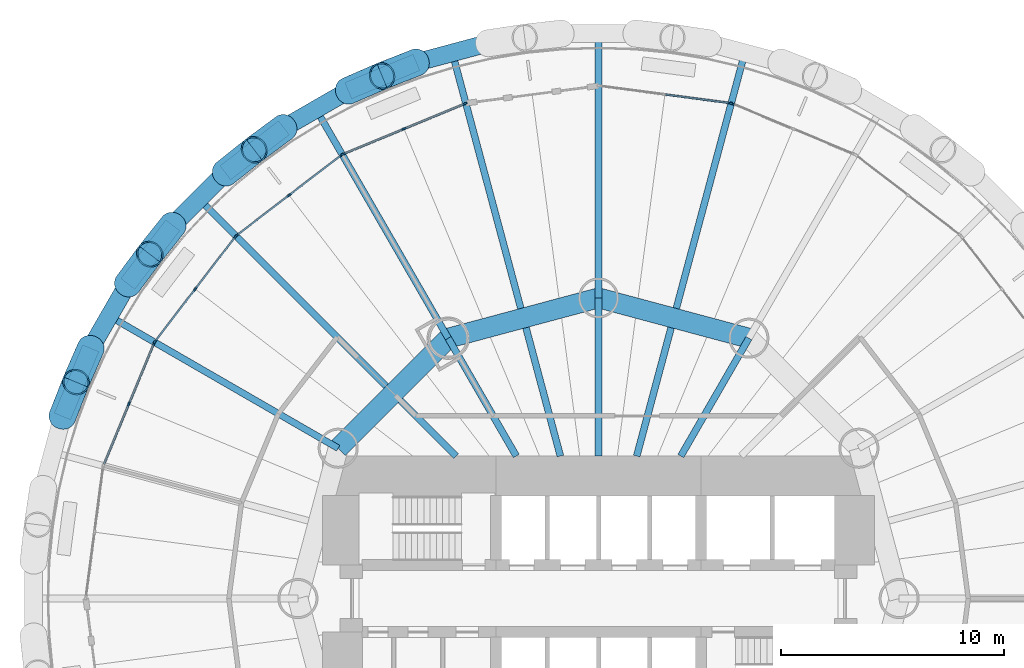
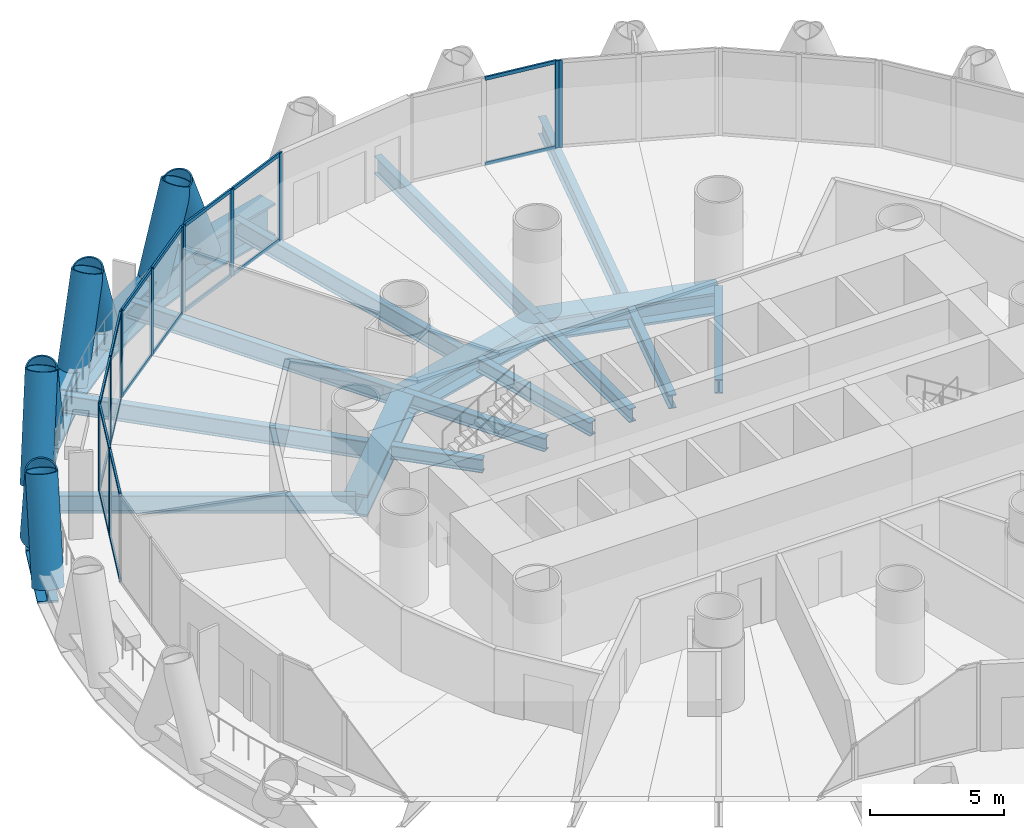
# One storey, part 6 of 15: 39 members, 23 beams, 6 elements without a shape of their own.
"""IFC4 building model written with IfcOpenShell, lengths in metres."""

from ifc_helpers import new_model, si_unit, direction, frame, origin, origin_2d, place, context, subcontext, project, spatial, rectangle, hollow_circle, i_section, extrude, material, material_profile, profile_set, type_object, element, aggregate, save


model = new_model("IFC4")

# Units and contexts
model_context = context("Model", 3, precision=1e-05, world=origin(), true_north=direction((0.0, 1.0)))
body_context = subcontext(model_context, "Body", "Model", "MODEL_VIEW")
ifc_project = project(units=[si_unit("LENGTHUNIT", "METRE"), si_unit("AREAUNIT", "SQUARE_METRE"), si_unit("VOLUMEUNIT", "CUBIC_METRE"), si_unit("PLANEANGLEUNIT", "RADIAN"), si_unit("MASSUNIT", "GRAM", prefix="KILO")], contexts=[model_context])

# Site, building, storey
site_placement = place(None, origin())
site = spatial("IfcSite", under=ifc_project, at=site_placement, CompositionType="ELEMENT")
building_placement = place(site_placement, origin())
building = spatial("IfcBuilding", under=site, at=building_placement, Name="Qaws Media Tower", CompositionType="ELEMENT")
storey_placement = place(building_placement, frame((0.0, 0.0, 97.39990234375)))
storey = spatial("IfcBuildingStorey", under=building, at=storey_placement, Name="L21", CompositionType="ELEMENT", Elevation=97.39990234375)

# Curtain wall, member
ifc_material_1 = material(Name="Aluminium and clear glass", Category="aluminium")
curtain_wall_type = type_object("IfcCurtainWallType", Name="Unitised curtain wall CW-A", PredefinedType="NOTDEFINED", material=ifc_material_1)
curtain_wall_1_placement = place(storey_placement, origin())
curtain_wall_1 = element("IfcCurtainWall", 1, at=curtain_wall_1_placement, inside=storey, type_object=curtain_wall_type, Name="CWA curtain wall L21-05", PredefinedType="NOTDEFINED")
ifc_material_2 = material(Name="Aluminium mullion", Category="aluminium")
ifc_material_profile_1 = material_profile(ifc_material_2, rectangle(XDim=0.080078125, YDim=0.199951171875, at=origin_2d()), Name="80x200")
ifc_profile_set_1 = profile_set([ifc_material_profile_1], Name="Aluminium mullion")
member_type_1 = type_object("IfcMemberType", Name="Curtain wall mullion 80x200", PredefinedType="MULLION", material=ifc_profile_set_1)
member_1_placement = place(storey_placement, frame((65.996337890625, 72.22509765625, 0.0), z_axis=(0.0, 0.0, 1.0), x_axis=(-0.382683428576, -0.923879534081, 0.0)))
member_1 = element("IfcMember", 2, at=member_1_placement, type_object=member_type_1, Name="CWA mullion 3", PredefinedType="MULLION", context=body_context, shape_type="SweptSolid", body=[
    extrude(rectangle(XDim=0.080078125, YDim=0.199951171875, at=origin_2d()), origin(), (0.0, 0.0, 1.0), 3.9501953125),
])
aggregate(curtain_wall_1, [member_1])

curtain_wall_2_placement = place(storey_placement, origin())
curtain_wall_2 = element("IfcCurtainWall", 3, at=curtain_wall_2_placement, inside=storey, type_object=curtain_wall_type, Name="CWA curtain wall L21-06", PredefinedType="NOTDEFINED")
member_2_placement = place(storey_placement, frame((65.919677734375, 72.24560546875, 0.0), z_axis=(0.0, 0.0, 1.0), x_axis=(-0.130526206323, -0.991444859517, 0.0)))
member_2 = element("IfcMember", 4, at=member_2_placement, type_object=member_type_1, Name="CWA mullion 1", PredefinedType="MULLION", context=body_context, shape_type="SweptSolid", body=[
    extrude(rectangle(XDim=0.080078125, YDim=0.199951171875, at=origin_2d()), origin(), (0.0, 0.0, 1.0), 3.9501953125),
])

# Curtain wall, members
curtain_wall_3_placement = place(storey_placement, origin())
curtain_wall_3 = element("IfcCurtainWall", 5, at=curtain_wall_3_placement, inside=storey, type_object=curtain_wall_type, Name="CWA curtain wall L21-08", PredefinedType="NOTDEFINED")
member_3_placement = place(storey_placement, frame((54.003662109375, 72.22509765625, 0.0), z_axis=(0.0, 0.0, 1.0), x_axis=(0.382683428576, -0.923879534081, 0.0)))
member_3 = element("IfcMember", 6, at=member_3_placement, type_object=member_type_1, Name="CWA mullion 1", PredefinedType="MULLION", context=body_context, shape_type="SweptSolid", body=[
    extrude(rectangle(XDim=0.080078125, YDim=0.199951171875, at=origin_2d()), origin(), (0.0, 0.0, 1.0), 3.9501953125),
])
member_4_placement = place(storey_placement, frame((51.26416015625, 71.09033203125, 0.0), z_axis=(0.0, 0.0, 1.0), x_axis=(0.382683428576, -0.923879534081, 0.0)))
member_4 = element("IfcMember", 7, at=member_4_placement, type_object=member_type_1, Name="CWA mullion 2", PredefinedType="MULLION", context=body_context, shape_type="SweptSolid", body=[
    extrude(rectangle(XDim=0.080078125, YDim=0.199951171875, at=origin_2d()), origin(), (0.0, 0.0, 1.0), 3.9501953125),
])
member_5_placement = place(storey_placement, frame((48.5244140625, 69.95556640625, 0.0), z_axis=(0.0, 0.0, 1.0), x_axis=(0.382683428576, -0.923879534081, 0.0)))
member_5 = element("IfcMember", 8, at=member_5_placement, type_object=member_type_1, Name="CWA mullion 3", PredefinedType="MULLION", context=body_context, shape_type="SweptSolid", body=[
    extrude(rectangle(XDim=0.080078125, YDim=0.199951171875, at=origin_2d()), origin(), (0.0, 0.0, 1.0), 3.9501953125),
])

curtain_wall_4_placement = place(storey_placement, origin())
curtain_wall_4 = element("IfcCurtainWall", 9, at=curtain_wall_4_placement, inside=storey, type_object=curtain_wall_type, Name="CWA curtain wall L21-09", PredefinedType="NOTDEFINED")
member_6_placement = place(storey_placement, frame((48.455810546875, 69.915771484375, 0.0), z_axis=(0.0, 0.0, 1.0), x_axis=(0.608761369953, -0.793353385606, 0.0)))
member_6 = element("IfcMember", 10, at=member_6_placement, type_object=member_type_1, Name="CWA mullion 1", PredefinedType="MULLION", context=body_context, shape_type="SweptSolid", body=[
    extrude(rectangle(XDim=0.080078125, YDim=0.199951171875, at=origin_2d()), origin(), (0.0, 0.0, 1.0), 3.9501953125),
])
member_7_placement = place(storey_placement, frame((46.103271484375, 68.110595703125, 0.0), z_axis=(0.0, 0.0, 1.0), x_axis=(0.608761369953, -0.793353385606, 0.0)))
member_7 = element("IfcMember", 11, at=member_7_placement, type_object=member_type_1, Name="CWA mullion 2", PredefinedType="MULLION", context=body_context, shape_type="SweptSolid", body=[
    extrude(rectangle(XDim=0.080078125, YDim=0.199951171875, at=origin_2d()), origin(), (0.0, 0.0, 1.0), 3.9501953125),
])
member_8_placement = place(storey_placement, frame((43.75048828125, 66.305419921875, 0.0), z_axis=(0.0, 0.0, 1.0), x_axis=(0.608761369953, -0.793353385606, 0.0)))
member_8 = element("IfcMember", 12, at=member_8_placement, type_object=member_type_1, Name="CWA mullion 3", PredefinedType="MULLION", context=body_context, shape_type="SweptSolid", body=[
    extrude(rectangle(XDim=0.080078125, YDim=0.199951171875, at=origin_2d()), origin(), (0.0, 0.0, 1.0), 3.9501953125),
])

curtain_wall_5_placement = place(storey_placement, origin())
curtain_wall_5 = element("IfcCurtainWall", 13, at=curtain_wall_5_placement, inside=storey, type_object=curtain_wall_type, Name="CWA curtain wall L21-10", PredefinedType="NOTDEFINED")
member_9_placement = place(storey_placement, frame((43.694580078125, 66.24951171875, 0.0), z_axis=(0.0, 0.0, 1.0), x_axis=(0.793353385606, -0.608761369953, 0.0)))
member_9 = element("IfcMember", 14, at=member_9_placement, type_object=member_type_1, Name="CWA mullion 1", PredefinedType="MULLION", context=body_context, shape_type="SweptSolid", body=[
    extrude(rectangle(XDim=0.080078125, YDim=0.199951171875, at=origin_2d()), origin(), (0.0, 0.0, 1.0), 3.9501953125),
])
member_10_placement = place(storey_placement, frame((41.889404296875, 63.896728515625, 0.0), z_axis=(0.0, 0.0, 1.0), x_axis=(0.793353385606, -0.608761369953, 0.0)))
member_10 = element("IfcMember", 15, at=member_10_placement, type_object=member_type_1, Name="CWA mullion 2", PredefinedType="MULLION", context=body_context, shape_type="SweptSolid", body=[
    extrude(rectangle(XDim=0.080078125, YDim=0.199951171875, at=origin_2d()), origin(), (0.0, 0.0, 1.0), 3.9501953125),
])
member_11_placement = place(storey_placement, frame((40.084228515625, 61.544189453125, 0.0), z_axis=(0.0, 0.0, 1.0), x_axis=(0.793353385606, -0.608761369953, 0.0)))
member_11 = element("IfcMember", 16, at=member_11_placement, type_object=member_type_1, Name="CWA mullion 3", PredefinedType="MULLION", context=body_context, shape_type="SweptSolid", body=[
    extrude(rectangle(XDim=0.080078125, YDim=0.199951171875, at=origin_2d()), origin(), (0.0, 0.0, 1.0), 3.9501953125),
])

curtain_wall_6_placement = place(storey_placement, origin())
curtain_wall_6 = element("IfcCurtainWall", 17, at=curtain_wall_6_placement, inside=storey, type_object=curtain_wall_type, Name="CWA curtain wall L21-11", PredefinedType="NOTDEFINED")
member_12_placement = place(storey_placement, frame((40.04443359375, 61.4755859375, 0.0), z_axis=(0.0, 0.0, 1.0), x_axis=(0.923879534081, -0.382683428576, 0.0)))
member_12 = element("IfcMember", 18, at=member_12_placement, type_object=member_type_1, Name="CWA mullion 1", PredefinedType="MULLION", context=body_context, shape_type="SweptSolid", body=[
    extrude(rectangle(XDim=0.080078125, YDim=0.199951171875, at=origin_2d()), origin(), (0.0, 0.0, 1.0), 3.9501953125),
])
member_13_placement = place(storey_placement, frame((38.90966796875, 58.73583984375, 0.0), z_axis=(0.0, 0.0, 1.0), x_axis=(0.923879534081, -0.382683428576, 0.0)))
member_13 = element("IfcMember", 19, at=member_13_placement, type_object=member_type_1, Name="CWA mullion 2", PredefinedType="MULLION", context=body_context, shape_type="SweptSolid", body=[
    extrude(rectangle(XDim=0.080078125, YDim=0.199951171875, at=origin_2d()), origin(), (0.0, 0.0, 1.0), 3.9501953125),
])

# Member
ifc_material_3 = material(Name="Aluminium transom", Category="aluminium")
ifc_material_profile_2 = material_profile(ifc_material_3, rectangle(XDim=0.080078125, YDim=0.159912109375, at=origin_2d()), Name="80x160")
ifc_profile_set_2 = profile_set([ifc_material_profile_2], Name="Aluminium transom")
member_type_2 = type_object("IfcMemberType", Name="Curtain wall transom 80x160", PredefinedType="USERDEFINED", material=ifc_profile_set_2)
member_14_placement = place(storey_placement, frame((65.8798828125, 72.2509765625, 0.0400390625), z_axis=(-0.991451127173, 0.130478589921, 0.0), x_axis=(-0.130478589921, -0.991451127173, 0.0)))
member_14 = element("IfcMember", 20, at=member_14_placement, type_object=member_type_2, Name="CWA transom 1.1", ObjectType="TRANSOM", PredefinedType="USERDEFINED", context=body_context, shape_type="SweptSolid", body=[
    extrude(rectangle(XDim=0.080078125, YDim=0.159912109375, at=origin_2d()), origin(), (0.0, 0.0, 1.0), 2.88525390625),
])

member_15_placement = place(storey_placement, frame((65.8798828125, 72.2509765625, 3.91015625), z_axis=(-0.991451127173, 0.130478589921, 0.0), x_axis=(-0.130478589921, -0.991451127173, 0.0)))
member_15 = element("IfcMember", 21, at=member_15_placement, type_object=member_type_2, Name="CWA transom 1.2", ObjectType="TRANSOM", PredefinedType="USERDEFINED", context=body_context, shape_type="SweptSolid", body=[
    extrude(rectangle(XDim=0.080078125, YDim=0.159912109375, at=origin_2d()), origin(), (0.0, 0.0, 1.0), 2.88525390625),
])

aggregate(curtain_wall_2, [member_2, member_14, member_15])

member_16_placement = place(storey_placement, frame((53.966796875, 72.209716796875, 0.0400390625), z_axis=(-0.923903400053, -0.382625805938, 0.0), x_axis=(0.382625805938, -0.923903400053, 0.0)))
member_16 = element("IfcMember", 22, at=member_16_placement, type_object=member_type_2, Name="CWA transom 1.1", ObjectType="TRANSOM", PredefinedType="USERDEFINED", context=body_context, shape_type="SweptSolid", body=[
    extrude(rectangle(XDim=0.080078125, YDim=0.159912109375, at=origin_2d()), origin(), (0.0, 0.0, 1.0), 2.88525390625),
])

member_17_placement = place(storey_placement, frame((53.966796875, 72.209716796875, 3.91015625), z_axis=(-0.923903400053, -0.382625805938, 0.0), x_axis=(0.382625805938, -0.923903400053, 0.0)))
member_17 = element("IfcMember", 23, at=member_17_placement, type_object=member_type_2, Name="CWA transom 1.2", ObjectType="TRANSOM", PredefinedType="USERDEFINED", context=body_context, shape_type="SweptSolid", body=[
    extrude(rectangle(XDim=0.080078125, YDim=0.159912109375, at=origin_2d()), origin(), (0.0, 0.0, 1.0), 2.88525390625),
])

member_18_placement = place(storey_placement, frame((51.22705078125, 71.074951171875, 0.0400390625), z_axis=(-0.923891010857, -0.382655720012, 0.0), x_axis=(0.382655720012, -0.923891010857, 0.0)))
member_18 = element("IfcMember", 24, at=member_18_placement, type_object=member_type_2, Name="CWA transom 2.1", ObjectType="TRANSOM", PredefinedType="USERDEFINED", context=body_context, shape_type="SweptSolid", body=[
    extrude(rectangle(XDim=0.080078125, YDim=0.159912109375, at=origin_2d()), origin(), (0.0, 0.0, 1.0), 2.885009765625),
])

member_19_placement = place(storey_placement, frame((51.22705078125, 71.074951171875, 3.91015625), z_axis=(-0.923891010857, -0.382655720012, 0.0), x_axis=(0.382655720012, -0.923891010857, 0.0)))
member_19 = element("IfcMember", 25, at=member_19_placement, type_object=member_type_2, Name="CWA transom 2.2", ObjectType="TRANSOM", PredefinedType="USERDEFINED", context=body_context, shape_type="SweptSolid", body=[
    extrude(rectangle(XDim=0.080078125, YDim=0.159912109375, at=origin_2d()), origin(), (0.0, 0.0, 1.0), 2.885009765625),
])

aggregate(curtain_wall_3, [member_3, member_4, member_5, member_16, member_17, member_18, member_19])

member_20_placement = place(storey_placement, frame((48.424072265625, 69.8916015625, 0.0400390625), z_axis=(-0.793331184409, -0.608790302029, 0.0), x_axis=(0.608790302029, -0.793331184409, 0.0)))
member_20 = element("IfcMember", 26, at=member_20_placement, type_object=member_type_2, Name="CWA transom 1.1", ObjectType="TRANSOM", PredefinedType="USERDEFINED", context=body_context, shape_type="SweptSolid", body=[
    extrude(rectangle(XDim=0.080078125, YDim=0.159912109375, at=origin_2d()), origin(), (0.0, 0.0, 1.0), 2.885498046875),
])

member_21_placement = place(storey_placement, frame((48.424072265625, 69.8916015625, 3.91015625), z_axis=(-0.793331184409, -0.608790302029, 0.0), x_axis=(0.608790302029, -0.793331184409, 0.0)))
member_21 = element("IfcMember", 27, at=member_21_placement, type_object=member_type_2, Name="CWA transom 1.2", ObjectType="TRANSOM", PredefinedType="USERDEFINED", context=body_context, shape_type="SweptSolid", body=[
    extrude(rectangle(XDim=0.080078125, YDim=0.159912109375, at=origin_2d()), origin(), (0.0, 0.0, 1.0), 2.885498046875),
])

member_22_placement = place(storey_placement, frame((46.071533203125, 68.08642578125, 0.0400390625), z_axis=(-0.793362540986, -0.608749438242, 0.0), x_axis=(0.608749438242, -0.793362540986, 0.0)))
member_22 = element("IfcMember", 28, at=member_22_placement, type_object=member_type_2, Name="CWA transom 2.1", ObjectType="TRANSOM", PredefinedType="USERDEFINED", context=body_context, shape_type="SweptSolid", body=[
    extrude(rectangle(XDim=0.080078125, YDim=0.159912109375, at=origin_2d()), origin(), (0.0, 0.0, 1.0), 2.885498046875),
])

member_23_placement = place(storey_placement, frame((46.071533203125, 68.08642578125, 3.91015625), z_axis=(-0.793362540986, -0.608749438242, 0.0), x_axis=(0.608749438242, -0.793362540986, 0.0)))
member_23 = element("IfcMember", 29, at=member_23_placement, type_object=member_type_2, Name="CWA transom 2.2", ObjectType="TRANSOM", PredefinedType="USERDEFINED", context=body_context, shape_type="SweptSolid", body=[
    extrude(rectangle(XDim=0.080078125, YDim=0.159912109375, at=origin_2d()), origin(), (0.0, 0.0, 1.0), 2.885498046875),
])

aggregate(curtain_wall_4, [member_6, member_7, member_8, member_20, member_21, member_22, member_23])

member_24_placement = place(storey_placement, frame((43.670166015625, 66.2177734375, 0.0400390625), z_axis=(-0.608749438242, -0.793362540986, 0.0), x_axis=(0.793362540986, -0.608749438242, 0.0)))
member_24 = element("IfcMember", 30, at=member_24_placement, type_object=member_type_2, Name="CWA transom 1.1", ObjectType="TRANSOM", PredefinedType="USERDEFINED", context=body_context, shape_type="SweptSolid", body=[
    extrude(rectangle(XDim=0.080078125, YDim=0.159912109375, at=origin_2d()), origin(), (0.0, 0.0, 1.0), 2.885498046875),
])

member_25_placement = place(storey_placement, frame((43.670166015625, 66.2177734375, 3.91015625), z_axis=(-0.608749438242, -0.793362540986, 0.0), x_axis=(0.793362540986, -0.608749438242, 0.0)))
member_25 = element("IfcMember", 31, at=member_25_placement, type_object=member_type_2, Name="CWA transom 1.2", ObjectType="TRANSOM", PredefinedType="USERDEFINED", context=body_context, shape_type="SweptSolid", body=[
    extrude(rectangle(XDim=0.080078125, YDim=0.159912109375, at=origin_2d()), origin(), (0.0, 0.0, 1.0), 2.885498046875),
])

member_26_placement = place(storey_placement, frame((41.864990234375, 63.864990234375, 0.0400390625), z_axis=(-0.608790302029, -0.793331184409, 0.0), x_axis=(0.793331184409, -0.608790302029, 0.0)))
member_26 = element("IfcMember", 32, at=member_26_placement, type_object=member_type_2, Name="CWA transom 2.1", ObjectType="TRANSOM", PredefinedType="USERDEFINED", context=body_context, shape_type="SweptSolid", body=[
    extrude(rectangle(XDim=0.080078125, YDim=0.159912109375, at=origin_2d()), origin(), (0.0, 0.0, 1.0), 2.885498046875),
])

member_27_placement = place(storey_placement, frame((41.864990234375, 63.864990234375, 3.91015625), z_axis=(-0.608790302029, -0.793331184409, 0.0), x_axis=(0.793331184409, -0.608790302029, 0.0)))
member_27 = element("IfcMember", 33, at=member_27_placement, type_object=member_type_2, Name="CWA transom 2.2", ObjectType="TRANSOM", PredefinedType="USERDEFINED", context=body_context, shape_type="SweptSolid", body=[
    extrude(rectangle(XDim=0.080078125, YDim=0.159912109375, at=origin_2d()), origin(), (0.0, 0.0, 1.0), 2.885498046875),
])

aggregate(curtain_wall_5, [member_9, member_10, member_11, member_24, member_25, member_26, member_27])

member_28_placement = place(storey_placement, frame((40.029052734375, 61.4384765625, 0.0400390625), z_axis=(-0.382655720012, -0.923891010857, 0.0), x_axis=(0.923891010857, -0.382655720012, 0.0)))
member_28 = element("IfcMember", 34, at=member_28_placement, type_object=member_type_2, Name="CWA transom 1.1", ObjectType="TRANSOM", PredefinedType="USERDEFINED", context=body_context, shape_type="SweptSolid", body=[
    extrude(rectangle(XDim=0.080078125, YDim=0.159912109375, at=origin_2d()), origin(), (0.0, 0.0, 1.0), 2.885009765625),
])

member_29_placement = place(storey_placement, frame((40.029052734375, 61.4384765625, 3.91015625), z_axis=(-0.382655720012, -0.923891010857, 0.0), x_axis=(0.923891010857, -0.382655720012, 0.0)))
member_29 = element("IfcMember", 35, at=member_29_placement, type_object=member_type_2, Name="CWA transom 1.2", ObjectType="TRANSOM", PredefinedType="USERDEFINED", context=body_context, shape_type="SweptSolid", body=[
    extrude(rectangle(XDim=0.080078125, YDim=0.159912109375, at=origin_2d()), origin(), (0.0, 0.0, 1.0), 2.885009765625),
])

member_30_placement = place(storey_placement, frame((38.894287109375, 58.698974609375, 0.0400390625), z_axis=(-0.382625805938, -0.923903400053, 0.0), x_axis=(0.923903400053, -0.382625805938, 0.0)))
member_30 = element("IfcMember", 36, at=member_30_placement, type_object=member_type_2, Name="CWA transom 2.1", ObjectType="TRANSOM", PredefinedType="USERDEFINED", context=body_context, shape_type="SweptSolid", body=[
    extrude(rectangle(XDim=0.080078125, YDim=0.159912109375, at=origin_2d()), origin(), (0.0, 0.0, 1.0), 2.88525390625),
])

member_31_placement = place(storey_placement, frame((38.894287109375, 58.698974609375, 3.91015625), z_axis=(-0.382625805938, -0.923903400053, 0.0), x_axis=(0.923903400053, -0.382625805938, 0.0)))
member_31 = element("IfcMember", 37, at=member_31_placement, type_object=member_type_2, Name="CWA transom 2.2", ObjectType="TRANSOM", PredefinedType="USERDEFINED", context=body_context, shape_type="SweptSolid", body=[
    extrude(rectangle(XDim=0.080078125, YDim=0.159912109375, at=origin_2d()), origin(), (0.0, 0.0, 1.0), 2.88525390625),
])

aggregate(curtain_wall_6, [member_12, member_13, member_28, member_29, member_30, member_31])

# Members
ifc_material_4 = material(Name="Steel S460", Category="steel")
ifc_material_profile_3 = material_profile(ifc_material_4, hollow_circle(Radius=0.609619140625, WallThickness=0.06005859375, at=origin_2d()), Name="CHS 1219x60")
ifc_profile_set_3 = profile_set([ifc_material_profile_3], Name="Steel S460")
member_type_3 = type_object("IfcMemberType", Name="Diagrid member CHS 1219x60", PredefinedType="USERDEFINED", material=ifc_profile_set_3)
for number, where, z_axis, x_axis, name in (
    (38, (51.827392578125, 74.07568359375, -0.909912109375), (-0.349042936435, -0.137381625873, 0.926981832291), (0.366247253344, -0.93051757072, 0.0), "DG1 diagrid L21 A08"),
    (39, (45.87451171875, 71.14013671875, -0.909912109375), (-0.301578739488, -0.223059242955, 0.926981573723), (0.594655183188, -0.803980853695, 0.0), "DG1 diagrid L21 A09"),
    (40, (48.7548828125, 72.802978515625, -0.909912109375), (0.343926220304, 0.149662418634, 0.926992942495), (-0.399015967171, 0.916943977538, 0.0), "DG1 diagrid L21 B09"),
    (41, (40.884521484375, 66.763916015625, -0.909912109375), (-0.233577882424, -0.293486589655, 0.926988130741), (0.782441736387, -0.622723798453, 0.0), "DG1 diagrid L21 A10"),
    (42, (43.236083984375, 69.115478515625, -0.909912109375), (0.293486589655, 0.233577882424, 0.926988130741), (-0.622723798453, 0.782441736387, 0.0), "DG1 diagrid L21 B10"),
    (43, (37.197021484375, 61.2451171875, -0.909912109375), (-0.149662418634, -0.343926220304, 0.926992942495), (0.916943977538, -0.399015967171, 0.0), "DG1 diagrid L21 A11"),
    (44, (38.85986328125, 64.12548828125, -0.909912109375), (0.223059242955, 0.301578739488, 0.926981573723), (-0.803980853695, 0.594655183188, 0.0), "DG1 diagrid L21 B11"),
    (45, (35.92431640625, 58.172607421875, -0.909912109375), (0.137381625873, 0.349042936435, 0.926981832291), (-0.93051757072, 0.366247253344, 0.0), "DG1 diagrid L21 B12"),
):
    element("IfcMember", number, at=place(storey_placement, frame(where, z_axis=z_axis, x_axis=x_axis)), inside=storey, type_object=member_type_3, Name=name, ObjectType="DIAGRID", PredefinedType="USERDEFINED", context=body_context, shape_type="SweptSolid", body=[
        extrude(hollow_circle(Radius=0.609619140625, WallThickness=0.06005859375, at=origin_2d()), origin(), (0.0, 0.0, 1.0), 4.433837890625),
    ])

# Beams
ifc_material_5 = material(Name="Steel S460", Category="steel")
ifc_material_profile_4 = material_profile(ifc_material_5, i_section(OverallWidth=0.800048828125, OverallDepth=1.5, WebThickness=0.0400390625, FlangeThickness=0.10009765625, at=origin_2d()), Name="PG 1500x800")
ifc_profile_set_4 = profile_set([ifc_material_profile_4], Name="Steel S460")
beam_type_1 = type_object("IfcBeamType", Name="Edge ring beam PG 1500x800", PredefinedType="BEAM", material=ifc_profile_set_4)
for number, where, z_axis, x_axis, name in (
    (46, (55.039794921875, 74.9365234375, -0.909912109375), (-0.965919870225, -0.258841272413, 0.0), (0.258841272413, -0.965919870225, 0.0), "RB7 edge ring beam L21-14"),
    (47, (51.827392578125, 74.07568359375, -0.909912109375), (-0.923876357767, -0.382691096785, 0.0), (0.382691096785, -0.923876357767, 0.0), "RB7 edge ring beam L21-15"),
):
    element("IfcBeam", number, at=place(storey_placement, frame(where, z_axis=z_axis, x_axis=x_axis)), inside=storey, type_object=beam_type_1, Name=name, PredefinedType="BEAM", context=body_context, shape_type="SweptSolid", body=[
        extrude(i_section(OverallWidth=0.800048828125, OverallDepth=1.5, WebThickness=0.0400390625, FlangeThickness=0.10009765625, at=origin_2d()), origin(), (0.0, 0.0, 1.0), 3.32568359375),
    ])
beam_1_placement = place(storey_placement, frame((48.7548828125, 72.802978515625, -0.909912109375), z_axis=(-0.866043790474, -0.499968151968, 0.0), x_axis=(0.499968151968, -0.866043790474, 0.0)))
element("IfcBeam", 48, at=beam_1_placement, inside=storey, type_object=beam_type_1, Name="RB7 edge ring beam L21-16", PredefinedType="BEAM", context=body_context, shape_type="SweptSolid", body=[
    extrude(i_section(OverallWidth=0.800048828125, OverallDepth=1.5, WebThickness=0.0400390625, FlangeThickness=0.10009765625, at=origin_2d()), origin(), (0.0, 0.0, 1.0), 3.325927734375),
])
for number, where, z_axis, x_axis, name in (
    (49, (45.87451171875, 71.14013671875, -0.909912109375), (-0.793335710763, -0.608784403568, 0.0), (0.608784403568, -0.793335710763, 0.0), "RB7 edge ring beam L21-17"),
    (50, (43.236083984375, 69.115478515625, -0.909912109375), (-0.707106781187, -0.707106781187, 0.0), (0.707106781187, -0.707106781187, 0.0), "RB7 edge ring beam L21-18"),
    (51, (40.884521484375, 66.763916015625, -0.909912109375), (-0.608784403568, -0.793335710763, 0.0), (0.793335710763, -0.608784403568, 0.0), "RB7 edge ring beam L21-19"),
):
    element("IfcBeam", number, at=place(storey_placement, frame(where, z_axis=z_axis, x_axis=x_axis)), inside=storey, type_object=beam_type_1, Name=name, PredefinedType="BEAM", context=body_context, shape_type="SweptSolid", body=[
        extrude(i_section(OverallWidth=0.800048828125, OverallDepth=1.5, WebThickness=0.0400390625, FlangeThickness=0.10009765625, at=origin_2d()), origin(), (0.0, 0.0, 1.0), 3.32568359375),
    ])
beam_2_placement = place(storey_placement, frame((38.85986328125, 64.12548828125, -0.909912109375), z_axis=(-0.499968151968, -0.866043790474, 0.0), x_axis=(0.866043790474, -0.499968151968, 0.0)))
element("IfcBeam", 52, at=beam_2_placement, inside=storey, type_object=beam_type_1, Name="RB7 edge ring beam L21-20", PredefinedType="BEAM", context=body_context, shape_type="SweptSolid", body=[
    extrude(i_section(OverallWidth=0.800048828125, OverallDepth=1.5, WebThickness=0.0400390625, FlangeThickness=0.10009765625, at=origin_2d()), origin(), (0.0, 0.0, 1.0), 3.325927734375),
])
beam_3_placement = place(storey_placement, frame((37.197021484375, 61.2451171875, -0.909912109375), z_axis=(-0.382691096785, -0.923876357767, 0.0), x_axis=(0.923876357767, -0.382691096785, 0.0)))
element("IfcBeam", 53, at=beam_3_placement, inside=storey, type_object=beam_type_1, Name="RB7 edge ring beam L21-21", PredefinedType="BEAM", context=body_context, shape_type="SweptSolid", body=[
    extrude(i_section(OverallWidth=0.800048828125, OverallDepth=1.5, WebThickness=0.0400390625, FlangeThickness=0.10009765625, at=origin_2d()), origin(), (0.0, 0.0, 1.0), 3.32568359375),
])
ifc_material_6 = material(Name="Steel S460", Category="steel")
ifc_material_profile_5 = material_profile(ifc_material_6, i_section(OverallWidth=0.89990234375, OverallDepth=1.0, WebThickness=0.044921875, FlangeThickness=0.110107421875, at=origin_2d()), Name="PG 1000x900")
ifc_profile_set_5 = profile_set([ifc_material_profile_5], Name="Steel S460")
beam_type_2 = type_object("IfcBeamType", Name="Inner ring girder PG 1000x900", PredefinedType="BEAM", material=ifc_profile_set_5)
for number, where, z_axis, x_axis, name in (
    (54, (66.75, 61.69140625, -0.659912109375), (-0.965928090778, 0.258810593767, 0.0), (-0.258810593767, -0.965928090778, 0.0), "B3 inner ring beam L21 I03-I04"),
    (55, (60.0, 63.5, -0.659912109375), (-0.965928090778, -0.258810593767, 0.0), (0.258810593767, -0.965928090778, 0.0), "B3 inner ring beam L21 I04-I05"),
):
    element("IfcBeam", number, at=place(storey_placement, frame(where, z_axis=z_axis, x_axis=x_axis)), inside=storey, type_object=beam_type_2, Name=name, PredefinedType="BEAM", context=body_context, shape_type="SweptSolid", body=[
        extrude(i_section(OverallWidth=0.89990234375, OverallDepth=1.0, WebThickness=0.044921875, FlangeThickness=0.110107421875, at=origin_2d()), origin(), (0.0, 0.0, 1.0), 6.988037109375),
    ])
beam_4_placement = place(storey_placement, frame((53.25, 61.69140625, -0.659912109375), z_axis=(-0.707106781187, -0.707106781187, 0.0), x_axis=(0.707106781187, -0.707106781187, 0.0)))
element("IfcBeam", 56, at=beam_4_placement, inside=storey, type_object=beam_type_2, Name="B3 inner ring beam L21 I05-I06", PredefinedType="BEAM", context=body_context, shape_type="SweptSolid", body=[
    extrude(i_section(OverallWidth=0.89990234375, OverallDepth=1.0, WebThickness=0.044921875, FlangeThickness=0.110107421875, at=origin_2d()), origin(), (0.0, 0.0, 1.0), 6.98828125),
])
ifc_material_7 = material(Name="Steel S355", Category="steel")
ifc_material_profile_6 = material_profile(ifc_material_7, i_section(OverallWidth=0.304931640625, OverallDepth=0.6201171875, WebThickness=0.02099609375, FlangeThickness=0.0400390625, FilletRadius=0.027099609375, at=origin_2d()), Name="HE 600 M")
ifc_profile_set_6 = profile_set([ifc_material_profile_6], Name="Steel S355")
beam_type_3 = type_object("IfcBeamType", Name="Radial beam HE 600 M, core side", PredefinedType="BEAM", material=ifc_profile_set_6)
beam_5_placement = place(storey_placement, frame((63.695068359375, 56.39990234375, -0.469970703125), z_axis=(0.49998532359, 0.866033877048, 0.0), x_axis=(-0.866033877048, 0.49998532359, 0.0)))
element("IfcBeam", 57, at=beam_5_placement, inside=storey, type_object=beam_type_3, Name="B2 radial beam L21 05", PredefinedType="BEAM", context=body_context, shape_type="SweptSolid", body=[
    extrude(i_section(OverallWidth=0.304931640625, OverallDepth=0.6201171875, WebThickness=0.02099609375, FlangeThickness=0.0400390625, FilletRadius=0.027099609375, at=origin_2d()), origin(), (0.0, 0.0, 1.0), 6.110107421875),
])
beam_6_placement = place(storey_placement, frame((61.71484375, 56.39990234375, -0.469970703125), z_axis=(0.258826794509, 0.965923749808, 0.0), x_axis=(-0.965923749808, 0.258826794509, 0.0)))
element("IfcBeam", 58, at=beam_6_placement, inside=storey, type_object=beam_type_3, Name="B2 radial beam L21 06", PredefinedType="BEAM", context=body_context, shape_type="SweptSolid", body=[
    extrude(i_section(OverallWidth=0.304931640625, OverallDepth=0.6201171875, WebThickness=0.02099609375, FlangeThickness=0.0400390625, FilletRadius=0.027099609375, at=origin_2d()), origin(), (0.0, 0.0, 1.0), 5.964111328125),
])
beam_7_placement = place(storey_placement, frame((60.0, 56.39990234375, -0.469970703125), z_axis=(0.0, 1.0, 0.0), x_axis=(-1.0, 0.0, 0.0)))
element("IfcBeam", 59, at=beam_7_placement, inside=storey, type_object=beam_type_3, Name="B2 radial beam L21 07", PredefinedType="BEAM", context=body_context, shape_type="SweptSolid", body=[
    extrude(i_section(OverallWidth=0.304931640625, OverallDepth=0.6201171875, WebThickness=0.02099609375, FlangeThickness=0.0400390625, FilletRadius=0.027099609375, at=origin_2d()), origin(), (0.0, 0.0, 1.0), 7.10009765625),
])
beam_8_placement = place(storey_placement, frame((58.28515625, 56.39990234375, -0.469970703125), z_axis=(-0.258826794509, 0.965923749808, 0.0), x_axis=(-0.965923749808, -0.258826794509, 0.0)))
element("IfcBeam", 60, at=beam_8_placement, inside=storey, type_object=beam_type_3, Name="B2 radial beam L21 08", PredefinedType="BEAM", context=body_context, shape_type="SweptSolid", body=[
    extrude(i_section(OverallWidth=0.304931640625, OverallDepth=0.6201171875, WebThickness=0.02099609375, FlangeThickness=0.0400390625, FilletRadius=0.027099609375, at=origin_2d()), origin(), (0.0, 0.0, 1.0), 5.964111328125),
])
beam_9_placement = place(storey_placement, frame((56.304931640625, 56.39990234375, -0.469970703125), z_axis=(-0.49998532359, 0.866033877048, 0.0), x_axis=(-0.866033877048, -0.49998532359, 0.0)))
element("IfcBeam", 61, at=beam_9_placement, inside=storey, type_object=beam_type_3, Name="B2 radial beam L21 09", PredefinedType="BEAM", context=body_context, shape_type="SweptSolid", body=[
    extrude(i_section(OverallWidth=0.304931640625, OverallDepth=0.6201171875, WebThickness=0.02099609375, FlangeThickness=0.0400390625, FilletRadius=0.027099609375, at=origin_2d()), origin(), (0.0, 0.0, 1.0), 6.110107421875),
])
beam_10_placement = place(storey_placement, frame((53.60009765625, 56.39990234375, -0.469970703125), z_axis=(-0.707106781187, 0.707106781187, 0.0), x_axis=(-0.707106781187, -0.707106781187, 0.0)))
element("IfcBeam", 62, at=beam_10_placement, inside=storey, type_object=beam_type_3, Name="B2 radial beam L21 10", PredefinedType="BEAM", context=body_context, shape_type="SweptSolid", body=[
    extrude(i_section(OverallWidth=0.304931640625, OverallDepth=0.6201171875, WebThickness=0.02099609375, FlangeThickness=0.0400390625, FilletRadius=0.027099609375, at=origin_2d()), origin(), (0.0, 0.0, 1.0), 3.539306640625),
])
ifc_material_8 = material(Name="Steel S355", Category="steel")
ifc_material_profile_7 = material_profile(ifc_material_8, i_section(OverallWidth=0.300048828125, OverallDepth=0.800048828125, WebThickness=0.017578125, FlangeThickness=0.032958984375, FilletRadius=0.030029296875, at=origin_2d()), Name="HE 800 B")
ifc_profile_set_7 = profile_set([ifc_material_profile_7], Name="Steel S355")
beam_type_4 = type_object("IfcBeamType", Name="Radial beam HE 800 B", PredefinedType="BEAM", material=ifc_profile_set_7)
beam_11_placement = place(storey_placement, frame((63.491455078125, 63.0302734375, -0.559814453125), z_axis=(0.258819969422, 0.965925578618, 0.0), x_axis=(-0.965925578618, 0.258819969422, 0.0)))
element("IfcBeam", 63, at=beam_11_placement, inside=storey, type_object=beam_type_4, Name="B1 radial beam L21 06", PredefinedType="BEAM", context=body_context, shape_type="SweptSolid", body=[
    extrude(i_section(OverallWidth=0.300048828125, OverallDepth=0.800048828125, WebThickness=0.017578125, FlangeThickness=0.032958984375, FilletRadius=0.030029296875, at=origin_2d()), origin(), (0.0, 0.0, 1.0), 11.880615234375),
])
beam_12_placement = place(storey_placement, frame((60.0, 63.5, -0.559814453125), z_axis=(0.0, 1.0, 0.0), x_axis=(-1.0, 0.0, 0.0)))
element("IfcBeam", 64, at=beam_12_placement, inside=storey, type_object=beam_type_4, Name="B1 radial beam L21 07", PredefinedType="BEAM", context=body_context, shape_type="SweptSolid", body=[
    extrude(i_section(OverallWidth=0.300048828125, OverallDepth=0.800048828125, WebThickness=0.017578125, FlangeThickness=0.032958984375, FilletRadius=0.030029296875, at=origin_2d()), origin(), (0.0, 0.0, 1.0), 11.87060546875),
])
beam_13_placement = place(storey_placement, frame((56.508544921875, 63.0302734375, -0.559814453125), z_axis=(-0.258819969422, 0.965925578618, 0.0), x_axis=(-0.965925578618, -0.258819969422, 0.0)))
element("IfcBeam", 65, at=beam_13_placement, inside=storey, type_object=beam_type_4, Name="B1 radial beam L21 08", PredefinedType="BEAM", context=body_context, shape_type="SweptSolid", body=[
    extrude(i_section(OverallWidth=0.300048828125, OverallDepth=0.800048828125, WebThickness=0.017578125, FlangeThickness=0.032958984375, FilletRadius=0.030029296875, at=origin_2d()), origin(), (0.0, 0.0, 1.0), 11.880615234375),
])
beam_14_placement = place(storey_placement, frame((53.25, 61.69140625, -0.559814453125), z_axis=(-0.500007901084, 0.866020842044, 0.0), x_axis=(-0.866020842044, -0.500007901084, 0.0)))
element("IfcBeam", 66, at=beam_14_placement, inside=storey, type_object=beam_type_4, Name="B1 radial beam L21 09", PredefinedType="BEAM", context=body_context, shape_type="SweptSolid", body=[
    extrude(i_section(OverallWidth=0.300048828125, OverallDepth=0.800048828125, WebThickness=0.017578125, FlangeThickness=0.032958984375, FilletRadius=0.030029296875, at=origin_2d()), origin(), (0.0, 0.0, 1.0), 11.870361328125),
])
beam_15_placement = place(storey_placement, frame((50.461181640625, 59.538818359375, -0.559814453125), z_axis=(-0.707106781187, 0.707106781187, 0.0), x_axis=(-0.707106781187, -0.707106781187, 0.0)))
element("IfcBeam", 67, at=beam_15_placement, inside=storey, type_object=beam_type_4, Name="B1 radial beam L21 10", PredefinedType="BEAM", context=body_context, shape_type="SweptSolid", body=[
    extrude(i_section(OverallWidth=0.300048828125, OverallDepth=0.800048828125, WebThickness=0.017578125, FlangeThickness=0.032958984375, FilletRadius=0.030029296875, at=origin_2d()), origin(), (0.0, 0.0, 1.0), 11.880615234375),
])
beam_16_placement = place(storey_placement, frame((48.30859375, 56.75, -0.559814453125), z_axis=(-0.866020842044, 0.500007901084, 0.0), x_axis=(-0.500007901084, -0.866020842044, 0.0)))
element("IfcBeam", 68, at=beam_16_placement, inside=storey, type_object=beam_type_4, Name="B1 radial beam L21 11", PredefinedType="BEAM", context=body_context, shape_type="SweptSolid", body=[
    extrude(i_section(OverallWidth=0.300048828125, OverallDepth=0.800048828125, WebThickness=0.017578125, FlangeThickness=0.032958984375, FilletRadius=0.030029296875, at=origin_2d()), origin(), (0.0, 0.0, 1.0), 11.870361328125),
])

save(model, "model.ifc")
